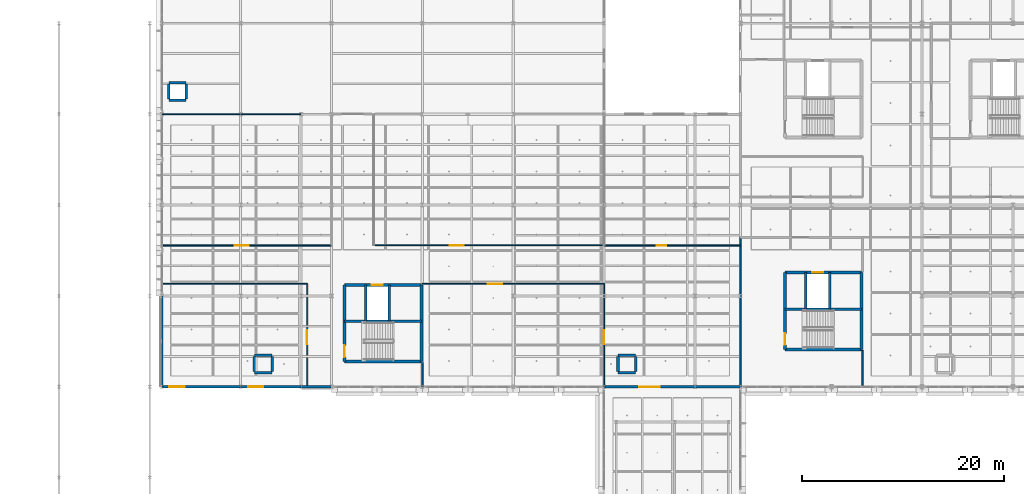
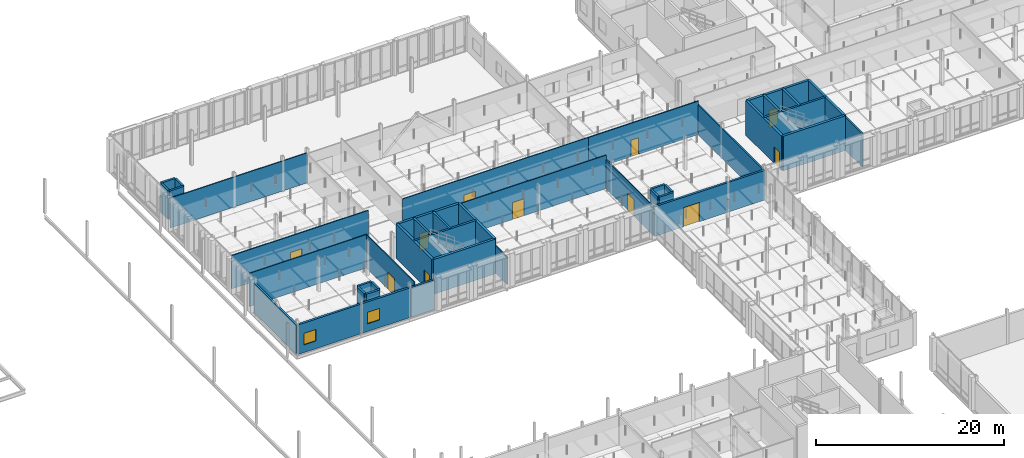
# One storey, part 71 of 130: 43 walls, 11 doors, 2 windows, 13 openings.
"""IFC4 building model written with IfcOpenShell, lengths in metres."""

from ifc_helpers import new_model, si_unit, direction, frame, frame_2d, origin, place, context, subcontext, project, spatial, rectangle, extrude, material, layer, layer_set, type_object, element, fill, save


model = new_model("IFC4")

# Units and contexts
model_context = context("Model", 3, precision=1e-05, world=origin(), true_north=direction((0.0, 1.0)))
body_context = subcontext(model_context, "Body", "Model", "MODEL_VIEW")
ifc_project = project(units=[si_unit("LENGTHUNIT", "METRE"), si_unit("AREAUNIT", "SQUARE_METRE"), si_unit("VOLUMEUNIT", "CUBIC_METRE"), si_unit("PLANEANGLEUNIT", "RADIAN"), si_unit("MASSUNIT", "GRAM", prefix="KILO"), si_unit("THERMODYNAMICTEMPERATUREUNIT", "KELVIN"), si_unit("POWERUNIT", "WATT")], contexts=[model_context])

# Site, building, storey
site_placement = place(None, origin())
site = spatial("IfcSite", under=ifc_project, at=site_placement, CompositionType="ELEMENT")
building_placement = place(site_placement, origin())
building = spatial("IfcBuilding", under=site, at=building_placement, Name="Tallowbark Science Centre", CompositionType="ELEMENT")
storey_placement = place(building_placement, frame((0.0, 0.0, 5.39990234375)))
storey = spatial("IfcBuildingStorey", under=building, at=storey_placement, Name="L01", CompositionType="ELEMENT", Elevation=5.39990234375)

# Wall, opening, window
ifc_material_1 = material(Name="Insulated Precast Concrete Panel Grade N40 (40 MPa)", Category="concrete")
ifc_layer_1 = layer(ifc_material_1, 0.25)
ifc_layer_set_1 = layer_set([ifc_layer_1], Name="Insulated Precast Concrete Panel Grade N40 (40 MPa)")
wall_type_1 = type_object("IfcWallType", Name="EWL-PRC-250", PredefinedType="STANDARD", material=ifc_layer_set_1)
wall_1_placement = place(storey_placement, frame((55.199951171875, 72.0, 0.0), z_axis=(0.0, 0.0, 1.0), x_axis=(1.0, 0.0, 0.0)))
wall_1 = element("IfcWall", 1, at=wall_1_placement, inside=storey, type_object=wall_type_1, Name="Exterior Wall LAB-S-L01-55", PredefinedType="STANDARD", context=body_context, shape_type="SweptSolid", body=[
    extrude(rectangle(XDim=7.800048828125, YDim=0.25, at=frame_2d((3.89990234375, 0.0))), origin(), (0.0, 0.0, 1.0), 3.84619140625),
])
opening_1_placement = place(wall_1_placement, frame((0.75, 0.0, 1.0)))
opening_1 = element("IfcOpeningElement", 2, at=opening_1_placement, cuts=wall_1, Name="Opening W-08", PredefinedType="OPENING", context=body_context, shape_type="SweptSolid", body=[
    extrude(rectangle(XDim=1.5, YDim=1.5, at=frame_2d((0.75, 0.75))), frame((0.0, 0.135009765625, 0.0), z_axis=(0.0, -1.0, 0.0), x_axis=(1.0, 0.0, 0.0)), (0.0, 0.0, 1.0), 0.27001953125),
])
ifc_material_2 = material(Name="Thermally Broken Aluminium and Low-E Double Glazing", Category="aluminium")
window_type = type_object("IfcWindowType", Name="WIN-F150x150", PartitioningType="SINGLE_PANEL", PredefinedType="WINDOW", material=ifc_material_2)
window_1_placement = place(opening_1_placement, origin())
window_1 = element("IfcWindow", 3, at=window_1_placement, inside=storey, type_object=window_type, Name="Window WIN-L01-0028", OverallHeight=1.5, OverallWidth=1.5, PartitioningType="SINGLE_PANEL", PredefinedType="WINDOW", context=body_context, shape_type="SweptSolid", body=[
    extrude(rectangle(XDim=1.5, YDim=1.5, at=frame_2d((0.75, 0.75))), frame((0.0, 0.030029296875, 0.0), z_axis=(0.0, -1.0, 0.0), x_axis=(1.0, 0.0, 0.0)), (0.0, 0.0, 1.0), 0.06005859375),
])
fill(opening_1, window_1)

wall_2_placement = place(storey_placement, frame((63.0, 72.0, 0.0), z_axis=(0.0, 0.0, 1.0), x_axis=(1.0, 0.0, 0.0)))
wall_2 = element("IfcWall", 4, at=wall_2_placement, inside=storey, type_object=wall_type_1, Name="Exterior Wall LAB-S-L01-63", PredefinedType="STANDARD", context=body_context, shape_type="SweptSolid", body=[
    extrude(rectangle(XDim=6.0, YDim=0.25, at=frame_2d((3.0, 0.0))), origin(), (0.0, 0.0, 1.0), 3.84619140625),
])
opening_2_placement = place(wall_2_placement, frame((0.75, 0.0, 1.0)))
opening_2 = element("IfcOpeningElement", 5, at=opening_2_placement, cuts=wall_2, Name="Opening W-08", PredefinedType="OPENING", context=body_context, shape_type="SweptSolid", body=[
    extrude(rectangle(XDim=1.5, YDim=1.5, at=frame_2d((0.75, 0.75))), frame((0.0, 0.135009765625, 0.0), z_axis=(0.0, -1.0, 0.0), x_axis=(1.0, 0.0, 0.0)), (0.0, 0.0, 1.0), 0.27001953125),
])
window_2_placement = place(opening_2_placement, origin())
window_2 = element("IfcWindow", 6, at=window_2_placement, inside=storey, type_object=window_type, Name="Window WIN-L01-0029", OverallHeight=1.5, OverallWidth=1.5, PartitioningType="SINGLE_PANEL", PredefinedType="WINDOW", context=body_context, shape_type="SweptSolid", body=[
    extrude(rectangle(XDim=1.5, YDim=1.5, at=frame_2d((0.75, 0.75))), frame((0.0, 0.030029296875, 0.0), z_axis=(0.0, -1.0, 0.0), x_axis=(1.0, 0.0, 0.0)), (0.0, 0.0, 1.0), 0.06005859375),
])
fill(opening_2, window_2)

# Wall
wall_3_placement = place(storey_placement, frame((69.0, 72.0, 0.0), z_axis=(0.0, 0.0, 1.0), x_axis=(1.0, 0.0, 0.0)))
element("IfcWall", 7, at=wall_3_placement, inside=storey, type_object=wall_type_1, Name="Exterior Wall LAB-S-L01-69", PredefinedType="STANDARD", context=body_context, shape_type="SweptSolid", body=[
    extrude(rectangle(XDim=3.0, YDim=0.25, at=frame_2d((1.5, 0.0))), origin(), (0.0, 0.0, 1.0), 3.84619140625),
])

# Wall, opening, door
wall_4_placement = place(storey_placement, frame((99.0, 72.0, 0.0), z_axis=(0.0, 0.0, 1.0), x_axis=(1.0, 0.0, 0.0)))
wall_4 = element("IfcWall", 8, at=wall_4_placement, inside=storey, type_object=wall_type_1, Name="Interior Link Wall LAB-LNK-INT-L01-A", PredefinedType="STANDARD", context=body_context, shape_type="SweptSolid", body=[
    extrude(rectangle(XDim=9.0, YDim=0.25, at=frame_2d((4.5, 0.0))), origin(), (0.0, 0.0, 1.0), 3.84619140625),
])
opening_3_placement = place(wall_4_placement, frame((3.5, 0.0, 0.0)))
opening_3 = element("IfcOpeningElement", 9, at=opening_3_placement, cuts=wall_4, Name="Opening ED-02", PredefinedType="OPENING", context=body_context, shape_type="SweptSolid", body=[
    extrude(rectangle(XDim=2.0, YDim=2.5, at=frame_2d((1.0, 1.25))), frame((0.0, 0.135009765625, 0.0), z_axis=(0.0, -1.0, 0.0), x_axis=(1.0, 0.0, 0.0)), (0.0, 0.0, 1.0), 0.27001953125),
])
ifc_material_3 = material(Name="Thermally Broken Glazed Aluminium Frame", Category="aluminium")
door_type_1 = type_object("IfcDoorType", Name="EDR-GLZ-200", OperationType="DOUBLE_DOOR_SINGLE_SWING", PredefinedType="DOOR", material=ifc_material_3)
door_1_placement = place(opening_3_placement, origin())
door_1 = element("IfcDoor", 10, at=door_1_placement, inside=storey, type_object=door_type_1, Name="Link Door EDR-L01-029", OperationType="DOUBLE_DOOR_SINGLE_SWING", OverallHeight=2.5, OverallWidth=2.0, PredefinedType="DOOR", context=body_context, shape_type="SweptSolid", body=[
    extrude(rectangle(XDim=2.0, YDim=2.5, at=frame_2d((1.0, 1.25))), frame((0.0, 0.02490234375, 0.0), z_axis=(0.0, -1.0, 0.0), x_axis=(1.0, 0.0, 0.0)), (0.0, 0.0, 1.0), 0.050048828125),
])
fill(opening_3, door_1)

# Walls
wall_5_placement = place(storey_placement, frame((108.0, 72.0, 0.0), z_axis=(0.0, 0.0, 1.0), x_axis=(1.0, 0.0, 0.0)))
element("IfcWall", 11, at=wall_5_placement, inside=storey, type_object=wall_type_1, Name="Interior Link Wall LAB-LNK-INT-L01-B", PredefinedType="STANDARD", context=body_context, shape_type="SweptSolid", body=[
    extrude(rectangle(XDim=4.5, YDim=0.25, at=frame_2d((2.25, 0.0))), origin(), (0.0, 0.0, 1.0), 3.84619140625),
])
wall_6_placement = place(storey_placement, frame((55.199951171875, 81.0, 0.0), z_axis=(0.0, 0.0, 1.0), x_axis=(0.0, -1.0, 0.0)))
element("IfcWall", 12, at=wall_6_placement, inside=storey, type_object=wall_type_1, Name="Exterior Wall LAB-W-L01-72", PredefinedType="STANDARD", context=body_context, shape_type="SweptSolid", body=[
    extrude(rectangle(XDim=9.0, YDim=0.25, at=frame_2d((4.5, 0.0))), origin(), (0.0, 0.0, 1.0), 3.77197265625),
])
ifc_material_4 = material(Name="132 mm Acoustic Laboratory Steel Stud Partition", Category="steel")
ifc_layer_2 = layer(ifc_material_4, 0.132080078125)
ifc_layer_set_2 = layer_set([ifc_layer_2], Name="132 mm Acoustic Laboratory Steel Stud Partition")
wall_type_2 = type_object("IfcWallType", Name="PTW-132", PredefinedType="PARTITIONING", material=ifc_layer_set_2)
wall_7_placement = place(storey_placement, frame((81.0, 72.0, 0.0), z_axis=(0.0, 0.0, 1.0), x_axis=(0.0, 1.0, 0.0)))
element("IfcWall", 13, at=wall_7_placement, inside=storey, type_object=wall_type_2, Name="Interior Partition PTW-L01-0179", PredefinedType="PARTITIONING", context=body_context, shape_type="SweptSolid", body=[
    extrude(rectangle(XDim=2.39990234375, YDim=0.132080078125, at=frame_2d((1.199951171875, 0.0))), origin(), (0.0, 0.0, 1.0), 3.60009765625),
])

# Wall, opening, door
wall_8_placement = place(storey_placement, frame((55.199951171875, 86.0, 0.0), z_axis=(0.0, 0.0, 1.0), x_axis=(1.0, 0.0, 0.0)))
wall_8 = element("IfcWall", 14, at=wall_8_placement, inside=storey, type_object=wall_type_2, Name="Interior Partition PTW-L01-0182", PredefinedType="PARTITIONING", context=body_context, shape_type="SweptSolid", body=[
    extrude(rectangle(XDim=16.800048828125, YDim=0.132080078125, at=frame_2d((8.39990234375, 0.0))), origin(), (0.0, 0.0, 1.0), 4.320068359375),
])
opening_4_placement = place(wall_8_placement, frame((7.199951171875, 0.0, 0.0)))
opening_4 = element("IfcOpeningElement", 15, at=opening_4_placement, cuts=wall_8, Name="Opening ID-01", PredefinedType="OPENING", context=body_context, shape_type="SweptSolid", body=[
    extrude(rectangle(XDim=1.39990234375, YDim=2.199951171875, at=frame_2d((0.699951171875, 1.10009765625))), frame((0.0, 0.076171875, 0.0), z_axis=(0.0, -1.0, 0.0), x_axis=(1.0, 0.0, 0.0)), (0.0, 0.0, 1.0), 0.152099609375),
])
ifc_material_5 = material(Name="Vision-Panel Leaf and Unequal Side Leaf")
door_type_2 = type_object("IfcDoorType", Name="IDR-LAB-140", OperationType="DOUBLE_DOOR_SINGLE_SWING", PredefinedType="DOOR", material=ifc_material_5)
door_2_placement = place(opening_4_placement, origin())
door_2 = element("IfcDoor", 16, at=door_2_placement, inside=storey, type_object=door_type_2, Name="Interior Door IDR-L01-0075", OperationType="DOUBLE_DOOR_SINGLE_SWING", OverallHeight=2.199951171875, OverallWidth=1.39990234375, PredefinedType="DOOR", context=body_context, shape_type="SweptSolid", body=[
    extrude(rectangle(XDim=1.39990234375, YDim=2.199951171875, at=frame_2d((0.699951171875, 1.10009765625))), frame((0.0, 0.02490234375, 0.0), z_axis=(0.0, -1.0, 0.0), x_axis=(1.0, 0.0, 0.0)), (0.0, 0.0, 1.0), 0.050048828125),
])
fill(opening_4, door_2)

wall_9_placement = place(storey_placement, frame((99.0, 86.0, 0.0), z_axis=(0.0, 0.0, 1.0), x_axis=(1.0, 0.0, 0.0)))
wall_9 = element("IfcWall", 17, at=wall_9_placement, inside=storey, type_object=wall_type_2, Name="Interior Partition PTW-L01-0185", PredefinedType="PARTITIONING", context=body_context, shape_type="SweptSolid", body=[
    extrude(rectangle(XDim=13.5, YDim=0.132080078125, at=frame_2d((6.75, 0.0))), origin(), (0.0, 0.0, 1.0), 4.320068359375),
])
opening_5_placement = place(wall_9_placement, frame((5.199951171875, 0.0, 0.0)))
opening_5 = element("IfcOpeningElement", 18, at=opening_5_placement, cuts=wall_9, Name="Opening ID-04", PredefinedType="OPENING", context=body_context, shape_type="SweptSolid", body=[
    extrude(rectangle(XDim=0.949951171875, YDim=2.14990234375, at=frame_2d((0.47509765625, 1.074951171875))), frame((0.0, 0.076171875, 0.0), z_axis=(0.0, -1.0, 0.0), x_axis=(1.0, 0.0, 0.0)), (0.0, 0.0, 1.0), 0.152099609375),
])
ifc_material_6 = material(Name="Solid-Core Timber Veneer Leaf", Category="wood")
door_type_3 = type_object("IfcDoorType", Name="IDR-OFF-095", OperationType="NOTDEFINED", PredefinedType="DOOR", material=ifc_material_6)
door_3_placement = place(opening_5_placement, origin())
door_3 = element("IfcDoor", 19, at=door_3_placement, inside=storey, type_object=door_type_3, Name="Interior Door IDR-L01-0077", OperationType="SINGLE_SWING_RIGHT", OverallHeight=2.14990234375, OverallWidth=0.949951171875, PredefinedType="DOOR", context=body_context, shape_type="SweptSolid", body=[
    extrude(rectangle(XDim=0.949951171875, YDim=2.14990234375, at=frame_2d((0.47509765625, 1.074951171875))), frame((0.0, 0.02490234375, 0.0), z_axis=(0.0, -1.0, 0.0), x_axis=(1.0, 0.0, 0.0)), (0.0, 0.0, 1.0), 0.050048828125),
])
fill(opening_5, door_3)

# Walls
ifc_material_7 = material(Name="162 mm Double-Stud Fire-Rated Corridor Partition")
ifc_layer_3 = layer(ifc_material_7, 0.162109375)
ifc_layer_set_3 = layer_set([ifc_layer_3], Name="162 mm Double-Stud Fire-Rated Corridor Partition")
wall_type_3 = type_object("IfcWallType", Name="PTW-162", PredefinedType="PARTITIONING", material=ifc_layer_set_3)
wall_10_placement = place(storey_placement, frame((112.5, 72.0, 0.0), z_axis=(0.0, 0.0, 1.0), x_axis=(0.0, 1.0, 0.0)))
element("IfcWall", 20, at=wall_10_placement, inside=storey, type_object=wall_type_3, Name="Interior Partition PTW-L01-0003", PredefinedType="PARTITIONING", context=body_context, shape_type="SweptSolid", body=[
    extrude(rectangle(XDim=14.800048828125, YDim=0.162109375, at=frame_2d((7.39990234375, 0.0))), origin(), (0.0, 0.0, 1.0), 3.84619140625),
])
wall_11_placement = place(storey_placement, frame((124.60009765625, 72.0, 0.0), z_axis=(0.0, 0.0, 1.0), x_axis=(0.0, 1.0, 0.0)))
element("IfcWall", 21, at=wall_11_placement, inside=storey, type_object=wall_type_3, Name="Interior Partition PTW-L01-0025", PredefinedType="PARTITIONING", context=body_context, shape_type="SweptSolid", body=[
    extrude(rectangle(XDim=3.60009765625, YDim=0.162109375, at=frame_2d((1.800048828125, 0.0))), origin(), (0.0, 0.0, 1.0), 4.320068359375),
])

# Wall, opening, door
ifc_material_8 = material(Name="108 mm Acoustic Double-Glazed Laboratory Partition")
ifc_layer_4 = layer(ifc_material_8, 0.10791015625)
ifc_layer_set_4 = layer_set([ifc_layer_4], Name="108 mm Acoustic Double-Glazed Laboratory Partition")
wall_type_4 = type_object("IfcWallType", Name="PTW-GLZ-108", PredefinedType="PARTITIONING", material=ifc_layer_set_4)
wall_12_placement = place(storey_placement, frame((69.60009765625, 72.0, 0.0), z_axis=(0.0, 0.0, 1.0), x_axis=(0.0, 1.0, 0.0)))
wall_12 = element("IfcWall", 22, at=wall_12_placement, inside=storey, type_object=wall_type_4, Name="Interior Partition PTW-L01-0177", PredefinedType="PARTITIONING", context=body_context, shape_type="SweptSolid", body=[
    extrude(rectangle(XDim=10.199951171875, YDim=0.10791015625, at=frame_2d((5.10009765625, 0.0))), origin(), (0.0, 0.0, 1.0), 4.320068359375),
])
opening_6_placement = place(wall_12_placement, frame((4.199951171875, 0.0, 0.0)))
opening_6 = element("IfcOpeningElement", 23, at=opening_6_placement, cuts=wall_12, Name="Opening ID-01", PredefinedType="OPENING", context=body_context, shape_type="SweptSolid", body=[
    extrude(rectangle(XDim=1.39990234375, YDim=2.199951171875, at=frame_2d((0.699951171875, 1.10009765625))), frame((0.0, 0.06396484375, 0.0), z_axis=(0.0, -1.0, 0.0), x_axis=(1.0, 0.0, 0.0)), (0.0, 0.0, 1.0), 0.1279296875),
])
door_4_placement = place(opening_6_placement, origin())
door_4 = element("IfcDoor", 24, at=door_4_placement, inside=storey, type_object=door_type_2, Name="Interior Door IDR-L01-0072", OperationType="DOUBLE_DOOR_SINGLE_SWING", OverallHeight=2.199951171875, OverallWidth=1.39990234375, PredefinedType="DOOR", context=body_context, shape_type="SweptSolid", body=[
    extrude(rectangle(XDim=1.39990234375, YDim=2.199951171875, at=frame_2d((0.699951171875, 1.10009765625))), frame((0.0, 0.02490234375, 0.0), z_axis=(0.0, -1.0, 0.0), x_axis=(1.0, 0.0, 0.0)), (0.0, 0.0, 1.0), 0.050048828125),
])
fill(opening_6, door_4)

# Wall
wall_13_placement = place(storey_placement, frame((55.199951171875, 82.199951171875, 0.0), z_axis=(0.0, 0.0, 1.0), x_axis=(1.0, 0.0, 0.0)))
element("IfcWall", 25, at=wall_13_placement, inside=storey, type_object=wall_type_4, Name="Interior Partition PTW-L01-0178", PredefinedType="PARTITIONING", context=body_context, shape_type="SweptSolid", body=[
    extrude(rectangle(XDim=14.400146484375, YDim=0.10791015625, at=frame_2d((7.2001953125, 0.0))), origin(), (0.0, 0.0, 1.0), 4.320068359375),
])

# Wall, opening, door
wall_14_placement = place(storey_placement, frame((99.0, 72.0, 0.0), z_axis=(0.0, 0.0, 1.0), x_axis=(0.0, 1.0, 0.0)))
wall_14 = element("IfcWall", 26, at=wall_14_placement, inside=storey, type_object=wall_type_4, Name="Interior Partition PTW-L01-0180", PredefinedType="PARTITIONING", context=body_context, shape_type="SweptSolid", body=[
    extrude(rectangle(XDim=10.199951171875, YDim=0.10791015625, at=frame_2d((5.10009765625, 0.0))), origin(), (0.0, 0.0, 1.0), 3.77197265625),
])
opening_7_placement = place(wall_14_placement, frame((4.199951171875, 0.0, 0.0)))
opening_7 = element("IfcOpeningElement", 27, at=opening_7_placement, cuts=wall_14, Name="Opening ID-01", PredefinedType="OPENING", context=body_context, shape_type="SweptSolid", body=[
    extrude(rectangle(XDim=1.39990234375, YDim=2.199951171875, at=frame_2d((0.699951171875, 1.10009765625))), frame((0.0, 0.06396484375, 0.0), z_axis=(0.0, -1.0, 0.0), x_axis=(1.0, 0.0, 0.0)), (0.0, 0.0, 1.0), 0.1279296875),
])
door_5_placement = place(opening_7_placement, origin())
door_5 = element("IfcDoor", 28, at=door_5_placement, inside=storey, type_object=door_type_2, Name="Interior Door IDR-L01-0073", OperationType="DOUBLE_DOOR_SINGLE_SWING", OverallHeight=2.199951171875, OverallWidth=1.39990234375, PredefinedType="DOOR", context=body_context, shape_type="SweptSolid", body=[
    extrude(rectangle(XDim=1.39990234375, YDim=2.199951171875, at=frame_2d((0.699951171875, 1.10009765625))), frame((0.0, 0.02490234375, 0.0), z_axis=(0.0, -1.0, 0.0), x_axis=(1.0, 0.0, 0.0)), (0.0, 0.0, 1.0), 0.050048828125),
])
fill(opening_7, door_5)

wall_15_placement = place(storey_placement, frame((81.0, 82.199951171875, 0.0), z_axis=(0.0, 0.0, 1.0), x_axis=(1.0, 0.0, 0.0)))
wall_15 = element("IfcWall", 29, at=wall_15_placement, inside=storey, type_object=wall_type_4, Name="Interior Partition PTW-L01-0181", PredefinedType="PARTITIONING", context=body_context, shape_type="SweptSolid", body=[
    extrude(rectangle(XDim=18.0, YDim=0.10791015625, at=frame_2d((9.0, 0.0))), origin(), (0.0, 0.0, 1.0), 4.320068359375),
])
opening_8_placement = place(wall_15_placement, frame((6.5, 0.0, 0.0)))
opening_8 = element("IfcOpeningElement", 30, at=opening_8_placement, cuts=wall_15, Name="Opening ID-01", PredefinedType="OPENING", context=body_context, shape_type="SweptSolid", body=[
    extrude(rectangle(XDim=1.39990234375, YDim=2.199951171875, at=frame_2d((0.699951171875, 1.10009765625))), frame((0.0, 0.06396484375, 0.0), z_axis=(0.0, -1.0, 0.0), x_axis=(1.0, 0.0, 0.0)), (0.0, 0.0, 1.0), 0.1279296875),
])
door_6_placement = place(opening_8_placement, origin())
door_6 = element("IfcDoor", 31, at=door_6_placement, inside=storey, type_object=door_type_2, Name="Interior Door IDR-L01-0074", OperationType="DOUBLE_DOOR_SINGLE_SWING", OverallHeight=2.199951171875, OverallWidth=1.39990234375, PredefinedType="DOOR", context=body_context, shape_type="SweptSolid", body=[
    extrude(rectangle(XDim=1.39990234375, YDim=2.199951171875, at=frame_2d((0.699951171875, 1.10009765625))), frame((0.0, 0.02490234375, 0.0), z_axis=(0.0, -1.0, 0.0), x_axis=(1.0, 0.0, 0.0)), (0.0, 0.0, 1.0), 0.050048828125),
])
fill(opening_8, door_6)

wall_16_placement = place(storey_placement, frame((76.199951171875, 86.0, 0.0), z_axis=(0.0, 0.0, 1.0), x_axis=(1.0, 0.0, 0.0)))
wall_16 = element("IfcWall", 32, at=wall_16_placement, inside=storey, type_object=wall_type_4, Name="Interior Partition PTW-L01-0184", PredefinedType="PARTITIONING", context=body_context, shape_type="SweptSolid", body=[
    extrude(rectangle(XDim=22.800048828125, YDim=0.10791015625, at=frame_2d((11.39990234375, 0.0))), origin(), (0.0, 0.0, 1.0), 4.320068359375),
])
opening_9_placement = place(wall_16_placement, frame((7.5, 0.0, 0.0)))
opening_9 = element("IfcOpeningElement", 33, at=opening_9_placement, cuts=wall_16, Name="Opening ID-01", PredefinedType="OPENING", context=body_context, shape_type="SweptSolid", body=[
    extrude(rectangle(XDim=1.39990234375, YDim=2.199951171875, at=frame_2d((0.699951171875, 1.10009765625))), frame((0.0, 0.06396484375, 0.0), z_axis=(0.0, -1.0, 0.0), x_axis=(1.0, 0.0, 0.0)), (0.0, 0.0, 1.0), 0.1279296875),
])
door_7_placement = place(opening_9_placement, origin())
door_7 = element("IfcDoor", 34, at=door_7_placement, inside=storey, type_object=door_type_2, Name="Interior Door IDR-L01-0076", OperationType="DOUBLE_DOOR_SINGLE_SWING", OverallHeight=2.199951171875, OverallWidth=1.39990234375, PredefinedType="DOOR", context=body_context, shape_type="SweptSolid", body=[
    extrude(rectangle(XDim=1.39990234375, YDim=2.199951171875, at=frame_2d((0.699951171875, 1.10009765625))), frame((0.0, 0.02490234375, 0.0), z_axis=(0.0, -1.0, 0.0), x_axis=(1.0, 0.0, 0.0)), (0.0, 0.0, 1.0), 0.050048828125),
])
fill(opening_9, door_7)

# Wall
wall_17_placement = place(storey_placement, frame((55.199951171875, 99.0, 0.0), z_axis=(0.0, 0.0, 1.0), x_axis=(1.0, 0.0, 0.0)))
element("IfcWall", 35, at=wall_17_placement, inside=storey, type_object=wall_type_4, Name="Interior Partition PTW-L01-0188", PredefinedType="PARTITIONING", context=body_context, shape_type="SweptSolid", body=[
    extrude(rectangle(XDim=16.800048828125, YDim=0.10791015625, at=frame_2d((8.39990234375, 0.0))), origin(), (0.0, 0.0, 1.0), 3.893798828125),
])

# Wall, opening, door
ifc_material_9 = material(Name="Concrete Grade N40 (40 MPa)", Category="concrete")
ifc_layer_5 = layer(ifc_material_9, 0.300048828125)
ifc_layer_set_5 = layer_set([ifc_layer_5], Name="Concrete Grade N40 (40 MPa)")
wall_type_5 = type_object("IfcWallType", Name="WL-CORE-300", PredefinedType="SHEAR", material=ifc_layer_set_5)
wall_18_placement = place(storey_placement, frame((73.300048828125, 74.5, 0.0), z_axis=(0.0, 0.0, 1.0), x_axis=(0.0, 1.0, 0.0)))
wall_18 = element("IfcWall", 36, at=wall_18_placement, inside=storey, type_object=wall_type_5, Name="Core C1 Shear Wall L01 W", PredefinedType="SHEAR", context=body_context, shape_type="SweptSolid", body=[
    extrude(rectangle(XDim=7.60009765625, YDim=0.300048828125, at=frame_2d((3.800048828125, 0.0))), origin(), (0.0, 0.0, 1.0), 4.5),
])
opening_10_placement = place(wall_18_placement, frame((0.449951171875, 0.0, 0.0)))
opening_10 = element("IfcOpeningElement", 37, at=opening_10_placement, cuts=wall_18, Name="Opening FD-01", PredefinedType="OPENING", context=body_context, shape_type="SweptSolid", body=[
    extrude(rectangle(XDim=1.14990234375, YDim=2.14990234375, at=frame_2d((0.574951171875, 1.074951171875))), frame((0.0, 0.16015625, 0.0), z_axis=(0.0, -1.0, 0.0), x_axis=(1.0, 0.0, 0.0)), (0.0, 0.0, 1.0), 0.320068359375),
])
ifc_material_10 = material(Name="Fire-Rated Pressed Steel Frame and Solid Core Leaf", Category="steel")
door_type_4 = type_object("IfcDoorType", Name="FDR-STR-115", OperationType="NOTDEFINED", PredefinedType="DOOR", material=ifc_material_10)
door_8_placement = place(opening_10_placement, origin())
door_8 = element("IfcDoor", 38, at=door_8_placement, inside=storey, type_object=door_type_4, Name="Stair ST-01 Fire Door L01", OperationType="SINGLE_SWING_LEFT", OverallHeight=2.14990234375, OverallWidth=1.14990234375, PredefinedType="DOOR", context=body_context, shape_type="SweptSolid", body=[
    extrude(rectangle(XDim=1.14990234375, YDim=2.14990234375, at=frame_2d((0.574951171875, 1.074951171875))), frame((0.0, 0.02490234375, 0.0), z_axis=(0.0, -1.0, 0.0), x_axis=(1.0, 0.0, 0.0)), (0.0, 0.0, 1.0), 0.050048828125),
])
fill(opening_10, door_8)

# Walls
wall_19_placement = place(storey_placement, frame((80.89990234375, 74.5, 0.0), z_axis=(0.0, 0.0, 1.0), x_axis=(0.0, 1.0, 0.0)))
element("IfcWall", 39, at=wall_19_placement, inside=storey, type_object=wall_type_5, Name="Core C1 Shear Wall L01 E", PredefinedType="SHEAR", context=body_context, shape_type="SweptSolid", body=[
    extrude(rectangle(XDim=7.60009765625, YDim=0.300048828125, at=frame_2d((3.800048828125, 0.0))), origin(), (0.0, 0.0, 1.0), 4.5),
])
wall_20_placement = place(storey_placement, frame((73.300048828125, 74.5, 0.0), z_axis=(0.0, 0.0, 1.0), x_axis=(1.0, 0.0, 0.0)))
element("IfcWall", 40, at=wall_20_placement, inside=storey, type_object=wall_type_5, Name="Core C1 Shear Wall L01 S", PredefinedType="SHEAR", context=body_context, shape_type="SweptSolid", body=[
    extrude(rectangle(XDim=7.599853515625, YDim=0.300048828125, at=frame_2d((3.7998046875, 0.0))), origin(), (0.0, 0.0, 1.0), 4.5),
])

# Wall, opening, door
wall_21_placement = place(storey_placement, frame((73.300048828125, 82.10009765625, 0.0), z_axis=(0.0, 0.0, 1.0), x_axis=(1.0, 0.0, 0.0)))
wall_21 = element("IfcWall", 41, at=wall_21_placement, inside=storey, type_object=wall_type_5, Name="Core C1 Shear Wall L01 N", PredefinedType="SHEAR", context=body_context, shape_type="SweptSolid", body=[
    extrude(rectangle(XDim=7.599853515625, YDim=0.300048828125, at=frame_2d((3.7998046875, 0.0))), origin(), (0.0, 0.0, 1.0), 4.5),
])
opening_11_placement = place(wall_21_placement, frame((2.699951171875, 0.0, 0.0)))
opening_11 = element("IfcOpeningElement", 42, at=opening_11_placement, cuts=wall_21, Name="Opening LD-01", PredefinedType="OPENING", context=body_context, shape_type="SweptSolid", body=[
    extrude(rectangle(XDim=1.10009765625, YDim=2.199951171875, at=frame_2d((0.550048828125, 1.10009765625))), frame((0.0, 0.16015625, 0.0), z_axis=(0.0, -1.0, 0.0), x_axis=(1.0, 0.0, 0.0)), (0.0, 0.0, 1.0), 0.320068359375),
])
ifc_material_11 = material(Name="Brushed Stainless Steel Centre-Parting Lift Landing Door", Category="steel")
door_type_5 = type_object("IfcDoorType", Name="LDR-LFT-110", OperationType="DOUBLE_DOOR_SLIDING", PredefinedType="DOOR", material=ifc_material_11)
door_9_placement = place(opening_11_placement, origin())
door_9 = element("IfcDoor", 43, at=door_9_placement, inside=storey, type_object=door_type_5, Name="Lift LF-01 Landing Door L01", OperationType="DOUBLE_DOOR_SLIDING", OverallHeight=2.199951171875, OverallWidth=1.10009765625, PredefinedType="DOOR", context=body_context, shape_type="SweptSolid", body=[
    extrude(rectangle(XDim=1.10009765625, YDim=2.199951171875, at=frame_2d((0.550048828125, 1.10009765625))), frame((0.0, 0.02490234375, 0.0), z_axis=(0.0, -1.0, 0.0), x_axis=(1.0, 0.0, 0.0)), (0.0, 0.0, 1.0), 0.050048828125),
])
fill(opening_11, door_9)

wall_22_placement = place(storey_placement, frame((116.89990234375, 75.699951171875, 0.0), z_axis=(0.0, 0.0, 1.0), x_axis=(0.0, 1.0, 0.0)))
wall_22 = element("IfcWall", 44, at=wall_22_placement, inside=storey, type_object=wall_type_5, Name="Core C2 Shear Wall L01 W", PredefinedType="SHEAR", context=body_context, shape_type="SweptSolid", body=[
    extrude(rectangle(XDim=7.60009765625, YDim=0.300048828125, at=frame_2d((3.800048828125, 0.0))), origin(), (0.0, 0.0, 1.0), 4.5),
])
opening_12_placement = place(wall_22_placement, frame((0.449951171875, 0.0, 0.0)))
opening_12 = element("IfcOpeningElement", 45, at=opening_12_placement, cuts=wall_22, Name="Opening FD-01", PredefinedType="OPENING", context=body_context, shape_type="SweptSolid", body=[
    extrude(rectangle(XDim=1.14990234375, YDim=2.14990234375, at=frame_2d((0.574951171875, 1.074951171875))), frame((0.0, 0.16015625, 0.0), z_axis=(0.0, -1.0, 0.0), x_axis=(1.0, 0.0, 0.0)), (0.0, 0.0, 1.0), 0.320068359375),
])
door_10_placement = place(opening_12_placement, origin())
door_10 = element("IfcDoor", 46, at=door_10_placement, inside=storey, type_object=door_type_4, Name="Stair ST-02 Fire Door L01", OperationType="SINGLE_SWING_RIGHT", OverallHeight=2.14990234375, OverallWidth=1.14990234375, PredefinedType="DOOR", context=body_context, shape_type="SweptSolid", body=[
    extrude(rectangle(XDim=1.14990234375, YDim=2.14990234375, at=frame_2d((0.574951171875, 1.074951171875))), frame((0.0, 0.02490234375, 0.0), z_axis=(0.0, -1.0, 0.0), x_axis=(1.0, 0.0, 0.0)), (0.0, 0.0, 1.0), 0.050048828125),
])
fill(opening_12, door_10)

# Walls
for number, where, z_axis, x_axis, name in (
    (47, (124.5, 75.699951171875, 0.0), (0.0, 0.0, 1.0), (0.0, 1.0, 0.0), "Core C2 Shear Wall L01 E"),
    (48, (116.89990234375, 75.699951171875, 0.0), (0.0, 0.0, 1.0), (1.0, 0.0, 0.0), "Core C2 Shear Wall L01 S"),
):
    element("IfcWall", number, at=place(storey_placement, frame(where, z_axis=z_axis, x_axis=x_axis)), inside=storey, type_object=wall_type_5, Name=name, PredefinedType="SHEAR", context=body_context, shape_type="SweptSolid", body=[
        extrude(rectangle(XDim=7.60009765625, YDim=0.300048828125, at=frame_2d((3.800048828125, 0.0))), origin(), (0.0, 0.0, 1.0), 4.5),
    ])

# Wall, opening, door
wall_23_placement = place(storey_placement, frame((116.89990234375, 83.300048828125, 0.0), z_axis=(0.0, 0.0, 1.0), x_axis=(1.0, 0.0, 0.0)))
wall_23 = element("IfcWall", 49, at=wall_23_placement, inside=storey, type_object=wall_type_5, Name="Core C2 Shear Wall L01 N", PredefinedType="SHEAR", context=body_context, shape_type="SweptSolid", body=[
    extrude(rectangle(XDim=7.60009765625, YDim=0.300048828125, at=frame_2d((3.800048828125, 0.0))), origin(), (0.0, 0.0, 1.0), 4.5),
])
opening_13_placement = place(wall_23_placement, frame((2.699951171875, 0.0, 0.0)))
opening_13 = element("IfcOpeningElement", 50, at=opening_13_placement, cuts=wall_23, Name="Opening LD-01", PredefinedType="OPENING", context=body_context, shape_type="SweptSolid", body=[
    extrude(rectangle(XDim=1.10009765625, YDim=2.199951171875, at=frame_2d((0.550048828125, 1.10009765625))), frame((0.0, 0.16015625, 0.0), z_axis=(0.0, -1.0, 0.0), x_axis=(1.0, 0.0, 0.0)), (0.0, 0.0, 1.0), 0.320068359375),
])
door_11_placement = place(opening_13_placement, origin())
door_11 = element("IfcDoor", 51, at=door_11_placement, inside=storey, type_object=door_type_5, Name="Lift LF-02 Landing Door L01", OperationType="DOUBLE_DOOR_SLIDING", OverallHeight=2.199951171875, OverallWidth=1.10009765625, PredefinedType="DOOR", context=body_context, shape_type="SweptSolid", body=[
    extrude(rectangle(XDim=1.10009765625, YDim=2.199951171875, at=frame_2d((0.550048828125, 1.10009765625))), frame((0.0, 0.02490234375, 0.0), z_axis=(0.0, -1.0, 0.0), x_axis=(1.0, 0.0, 0.0)), (0.0, 0.0, 1.0), 0.050048828125),
])
fill(opening_13, door_11)

# Walls
ifc_layer_6 = layer(ifc_material_9, 0.25)
ifc_layer_set_6 = layer_set([ifc_layer_6], Name="Concrete Grade N40 (40 MPa)")
wall_type_6 = type_object("IfcWallType", Name="WL-SHAFT-250", PredefinedType="SHEAR", material=ifc_layer_set_6)
wall_24_placement = place(storey_placement, frame((73.300048828125, 78.4951171875, 0.0), z_axis=(0.0, 0.0, 1.0), x_axis=(1.0, 0.0, 0.0)))
element("IfcWall", 52, at=wall_24_placement, inside=storey, type_object=wall_type_6, Name="Core C1 Shear Wall L01 MID", PredefinedType="SHEAR", context=body_context, shape_type="SweptSolid", body=[
    extrude(rectangle(XDim=7.599853515625, YDim=0.25, at=frame_2d((3.7998046875, 0.0))), origin(), (0.0, 0.0, 1.0), 4.5),
])
for number, where, z_axis, x_axis, name in (
    (53, (75.375, 78.4951171875, 0.0), (0.0, 0.0, 1.0), (0.0, 1.0, 0.0), "Core C1 Shear Wall L01 LW"),
    (54, (77.72509765625, 78.4951171875, 0.0), (0.0, 0.0, 1.0), (0.0, 1.0, 0.0), "Core C1 Shear Wall L01 LE"),
):
    element("IfcWall", number, at=place(storey_placement, frame(where, z_axis=z_axis, x_axis=x_axis)), inside=storey, type_object=wall_type_6, Name=name, PredefinedType="SHEAR", context=body_context, shape_type="SweptSolid", body=[
        extrude(rectangle(XDim=3.60498046875, YDim=0.25, at=frame_2d((1.802490234375, 0.0))), origin(), (0.0, 0.0, 1.0), 4.5),
    ])
wall_25_placement = place(storey_placement, frame((116.89990234375, 79.695068359375, 0.0), z_axis=(0.0, 0.0, 1.0), x_axis=(1.0, 0.0, 0.0)))
element("IfcWall", 55, at=wall_25_placement, inside=storey, type_object=wall_type_6, Name="Core C2 Shear Wall L01 MID", PredefinedType="SHEAR", context=body_context, shape_type="SweptSolid", body=[
    extrude(rectangle(XDim=7.60009765625, YDim=0.25, at=frame_2d((3.800048828125, 0.0))), origin(), (0.0, 0.0, 1.0), 4.5),
])
for number, where, z_axis, x_axis, name in (
    (56, (118.97509765625, 79.695068359375, 0.0), (0.0, 0.0, 1.0), (0.0, 1.0, 0.0), "Core C2 Shear Wall L01 LW"),
    (57, (121.324951171875, 79.695068359375, 0.0), (0.0, 0.0, 1.0), (0.0, 1.0, 0.0), "Core C2 Shear Wall L01 LE"),
):
    element("IfcWall", number, at=place(storey_placement, frame(where, z_axis=z_axis, x_axis=x_axis)), inside=storey, type_object=wall_type_6, Name=name, PredefinedType="SHEAR", context=body_context, shape_type="SweptSolid", body=[
        extrude(rectangle(XDim=3.60498046875, YDim=0.25, at=frame_2d((1.802490234375, 0.0))), origin(), (0.0, 0.0, 1.0), 4.5),
    ])
for number, where, z_axis, x_axis, name in (
    (58, (55.89990234375, 100.375, 0.0), (0.0, 0.0, 1.0), (1.0, 0.0, 0.0), "Service Riser Shaft Wall RSR-CAF L01 S"),
    (59, (55.89990234375, 102.125, 0.0), (0.0, 0.0, 1.0), (1.0, 0.0, 0.0), "Service Riser Shaft Wall RSR-CAF L01 N"),
):
    element("IfcWall", number, at=place(storey_placement, frame(where, z_axis=z_axis, x_axis=x_axis)), inside=storey, type_object=wall_type_6, Name=name, PredefinedType="SHEAR", context=body_context, shape_type="SweptSolid", body=[
        extrude(rectangle(XDim=1.7001953125, YDim=0.25, at=frame_2d((0.85009765625, 0.0))), origin(), (0.0, 0.0, 1.0), 3.77001953125),
    ])
for number, where, z_axis, x_axis, name in (
    (60, (55.875, 100.5, 0.0), (0.0, 0.0, 1.0), (0.0, 1.0, 0.0), "Service Riser Shaft Wall RSR-CAF L01 W"),
    (61, (57.625, 100.5, 0.0), (0.0, 0.0, 1.0), (0.0, 1.0, 0.0), "Service Riser Shaft Wall RSR-CAF L01 E"),
):
    element("IfcWall", number, at=place(storey_placement, frame(where, z_axis=z_axis, x_axis=x_axis)), inside=storey, type_object=wall_type_6, Name=name, PredefinedType="SHEAR", context=body_context, shape_type="SweptSolid", body=[
        extrude(rectangle(XDim=1.5, YDim=0.25, at=frame_2d((0.75, 0.0))), origin(), (0.0, 0.0, 1.0), 3.77001953125),
    ])
for number, where, z_axis, x_axis, name in (
    (62, (64.39990234375, 73.375, 0.0), (0.0, 0.0, 1.0), (1.0, 0.0, 0.0), "Service Riser Shaft Wall RSR-LAB-W L01 S"),
    (63, (64.39990234375, 75.125, 0.0), (0.0, 0.0, 1.0), (1.0, 0.0, 0.0), "Service Riser Shaft Wall RSR-LAB-W L01 N"),
):
    element("IfcWall", number, at=place(storey_placement, frame(where, z_axis=z_axis, x_axis=x_axis)), inside=storey, type_object=wall_type_6, Name=name, PredefinedType="SHEAR", context=body_context, shape_type="SweptSolid", body=[
        extrude(rectangle(XDim=1.7001953125, YDim=0.25, at=frame_2d((0.85009765625, 0.0))), origin(), (0.0, 0.0, 1.0), 3.77001953125),
    ])
for number, where, z_axis, x_axis, name in (
    (64, (64.375, 73.5, 0.0), (0.0, 0.0, 1.0), (0.0, 1.0, 0.0), "Service Riser Shaft Wall RSR-LAB-W L01 W"),
    (65, (66.125, 73.5, 0.0), (0.0, 0.0, 1.0), (0.0, 1.0, 0.0), "Service Riser Shaft Wall RSR-LAB-W L01 E"),
):
    element("IfcWall", number, at=place(storey_placement, frame(where, z_axis=z_axis, x_axis=x_axis)), inside=storey, type_object=wall_type_6, Name=name, PredefinedType="SHEAR", context=body_context, shape_type="SweptSolid", body=[
        extrude(rectangle(XDim=1.5, YDim=0.25, at=frame_2d((0.75, 0.0))), origin(), (0.0, 0.0, 1.0), 3.77001953125),
    ])
for number, where, z_axis, x_axis, name in (
    (66, (100.39990234375, 73.375, 0.0), (0.0, 0.0, 1.0), (1.0, 0.0, 0.0), "Service Riser Shaft Wall RSR-LAB-E L01 S"),
    (67, (100.39990234375, 75.125, 0.0), (0.0, 0.0, 1.0), (1.0, 0.0, 0.0), "Service Riser Shaft Wall RSR-LAB-E L01 N"),
):
    element("IfcWall", number, at=place(storey_placement, frame(where, z_axis=z_axis, x_axis=x_axis)), inside=storey, type_object=wall_type_6, Name=name, PredefinedType="SHEAR", context=body_context, shape_type="SweptSolid", body=[
        extrude(rectangle(XDim=1.7001953125, YDim=0.25, at=frame_2d((0.85009765625, 0.0))), origin(), (0.0, 0.0, 1.0), 3.77001953125),
    ])
for number, where, z_axis, x_axis, name in (
    (68, (100.375, 73.5, 0.0), (0.0, 0.0, 1.0), (0.0, 1.0, 0.0), "Service Riser Shaft Wall RSR-LAB-E L01 W"),
    (69, (102.125, 73.5, 0.0), (0.0, 0.0, 1.0), (0.0, 1.0, 0.0), "Service Riser Shaft Wall RSR-LAB-E L01 E"),
):
    element("IfcWall", number, at=place(storey_placement, frame(where, z_axis=z_axis, x_axis=x_axis)), inside=storey, type_object=wall_type_6, Name=name, PredefinedType="SHEAR", context=body_context, shape_type="SweptSolid", body=[
        extrude(rectangle(XDim=1.5, YDim=0.25, at=frame_2d((0.75, 0.0))), origin(), (0.0, 0.0, 1.0), 3.77001953125),
    ])

save(model, "model.ifc")
